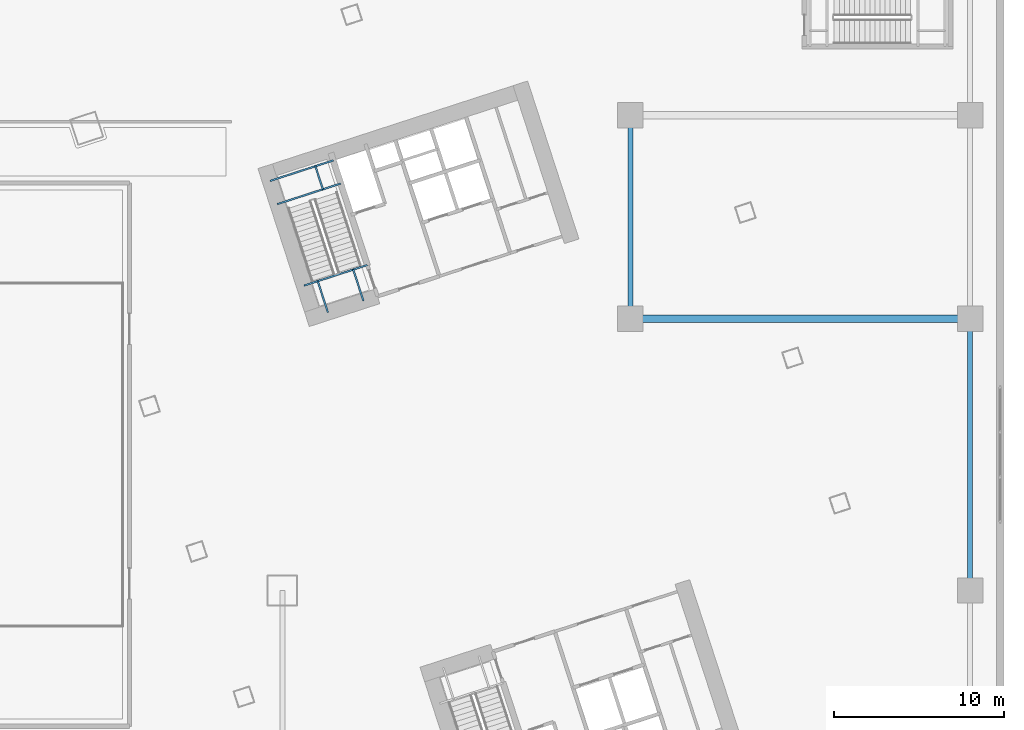
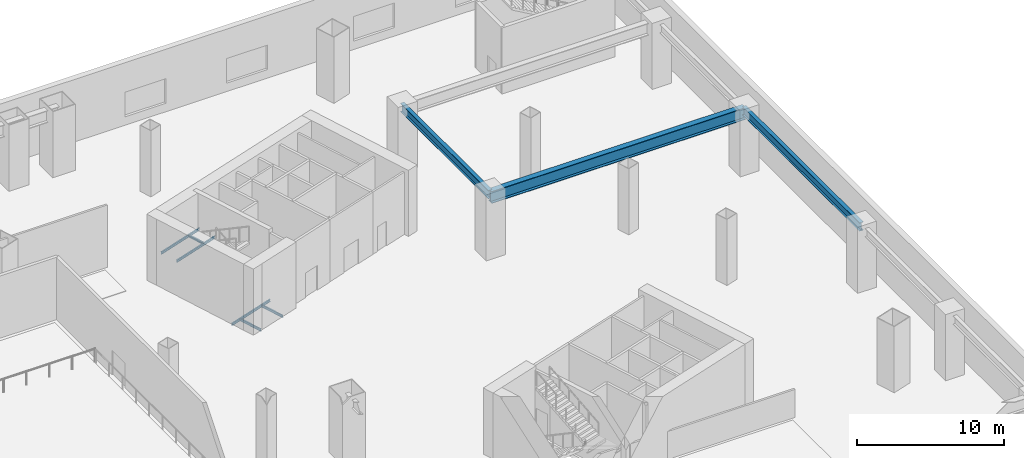
# One storey, part 15 of 35: 9 beams.
"""IFC4 building model written with IfcOpenShell, lengths in metres."""

from ifc_helpers import new_model, si_unit, direction, frame, origin, origin_2d, place, context, subcontext, project, spatial, i_section, extrude, material, material_profile, profile_set, type_object, element, save


model = new_model("IFC4")

# Units and contexts
model_context = context("Model", 3, precision=1e-05, world=origin(), true_north=direction((0.0, 1.0)))
body_context = subcontext(model_context, "Body", "Model", "MODEL_VIEW")
ifc_project = project(units=[si_unit("LENGTHUNIT", "METRE"), si_unit("AREAUNIT", "SQUARE_METRE"), si_unit("VOLUMEUNIT", "CUBIC_METRE"), si_unit("PLANEANGLEUNIT", "RADIAN"), si_unit("MASSUNIT", "GRAM", prefix="KILO")], contexts=[model_context])

# Site, building, storey
site_placement = place(None, origin())
site = spatial("IfcSite", under=ifc_project, at=site_placement, CompositionType="ELEMENT")
building_placement = place(site_placement, origin())
building = spatial("IfcBuilding", under=site, at=building_placement, Name="Qiaolan Cultural Towers", CompositionType="ELEMENT")
storey_placement = place(building_placement, frame((0.0, 0.0, 6.0)))
storey = spatial("IfcBuildingStorey", under=building, at=storey_placement, Name="L01", CompositionType="ELEMENT", Elevation=6.0)

# Beams
ifc_material_1 = material(Name="Steel Q390GJB", Category="steel")
ifc_material_profile_1 = material_profile(ifc_material_1, i_section(OverallWidth=0.449951171875, OverallDepth=1.0, WebThickness=0.02392578125, FlangeThickness=0.0400390625, at=origin_2d()), Name="BH1000x450x24x40")
ifc_profile_set_1 = profile_set([ifc_material_profile_1], Name="Steel Q390GJB")
beam_type_1 = type_object("IfcBeamType", Name="BM-BH1000x450x24x40", PredefinedType="BEAM", material=ifc_profile_set_1)
beam_1_placement = place(storey_placement, frame((98.0, 42.0, 4.699951171875), z_axis=(1.0, 0.0, 0.0), x_axis=(0.0, 1.0, 0.0)))
element("IfcBeam", 1, at=beam_1_placement, inside=storey, type_object=beam_type_1, Name="L01 Podium Primary Girder Y=42.0", PredefinedType="BEAM", context=body_context, shape_type="SweptSolid", body=[
    extrude(i_section(OverallWidth=0.449951171875, OverallDepth=1.0, WebThickness=0.02392578125, FlangeThickness=0.0400390625, at=origin_2d()), origin(), (0.0, 0.0, 1.0), 20.0),
])
ifc_material_2 = material(Name="Steel Q355B", Category="steel")
ifc_material_profile_2 = material_profile(ifc_material_2, i_section(OverallWidth=0.300048828125, OverallDepth=0.699951171875, WebThickness=0.012939453125, FlangeThickness=0.02392578125, at=origin_2d()), Name="HN700x300x13x24")
ifc_profile_set_2 = profile_set([ifc_material_profile_2], Name="Steel Q355B")
beam_type_2 = type_object("IfcBeamType", Name="BM-HN700x300x13x24", PredefinedType="BEAM", material=ifc_profile_set_2)
beam_2_placement = place(storey_placement, frame((98.0, 42.0, 4.85009765625), z_axis=(0.0, 1.0, 0.0), x_axis=(-1.0, 0.0, 0.0)))
element("IfcBeam", 2, at=beam_2_placement, inside=storey, type_object=beam_type_2, Name="L01 Podium Transverse Beam X=98.0", PredefinedType="BEAM", context=body_context, shape_type="SweptSolid", body=[
    extrude(i_section(OverallWidth=0.300048828125, OverallDepth=0.699951171875, WebThickness=0.012939453125, FlangeThickness=0.02392578125, at=origin_2d()), origin(), (0.0, 0.0, 1.0), 12.0),
])
beam_3_placement = place(storey_placement, frame((118.0, 26.0, 4.85009765625), z_axis=(0.0, 1.0, 0.0), x_axis=(-1.0, 0.0, 0.0)))
element("IfcBeam", 3, at=beam_3_placement, inside=storey, type_object=beam_type_2, Name="L01 Podium Transverse Beam X=118.0", PredefinedType="BEAM", context=body_context, shape_type="SweptSolid", body=[
    extrude(i_section(OverallWidth=0.300048828125, OverallDepth=0.699951171875, WebThickness=0.012939453125, FlangeThickness=0.02392578125, at=origin_2d()), origin(), (0.0, 0.0, 1.0), 16.0),
])
ifc_material_3 = material(Name="Steel Q355B", Category="steel")
ifc_material_profile_3 = material_profile(ifc_material_3, i_section(OverallWidth=0.10009765625, OverallDepth=0.199951171875, WebThickness=0.005615234375, FlangeThickness=0.008056640625, at=origin_2d()), Name="HN200x100x5.5x8")
ifc_profile_set_3 = profile_set([ifc_material_profile_3], Name="Steel Q355B")
beam_type_3 = type_object("IfcBeamType", Name="BM-STTRIM-200", PredefinedType="BEAM", material=ifc_profile_set_3)
beam_4_placement = place(storey_placement, frame((78.773193359375, 43.958251953125, -0.4599609375), z_axis=(0.951072048947, 0.3089691857, 0.0), x_axis=(-0.3089691857, 0.951072048947, 0.0)))
element("IfcBeam", 4, at=beam_4_placement, inside=storey, type_object=beam_type_3, Name="L01 ST-E2 Floor Landing Header Beam", PredefinedType="BEAM", context=body_context, shape_type="SweptSolid", body=[
    extrude(i_section(OverallWidth=0.10009765625, OverallDepth=0.199951171875, WebThickness=0.005615234375, FlangeThickness=0.008056640625, at=origin_2d()), origin(), (0.0, 0.0, 1.0), 3.920166015625),
])
for number, where, z_axis, x_axis, name in (
    (5, (80.18115234375, 42.375732421875, -0.4599609375), (-0.308969394428, 0.951071981138, 0.0), (-0.951071981138, -0.308969394428, 0.0), "L01 ST-E2 Floor Landing Stringer 1"),
    (6, (82.2734375, 43.0556640625, -0.4599609375), (-0.308969394428, 0.951071981138, 0.0), (-0.951071981138, -0.308969394428, 0.0), "L01 ST-E2 Floor Landing Stringer 2"),
):
    element("IfcBeam", number, at=place(storey_placement, frame(where, z_axis=z_axis, x_axis=x_axis)), inside=storey, type_object=beam_type_3, Name=name, PredefinedType="BEAM", context=body_context, shape_type="SweptSolid", body=[
        extrude(i_section(OverallWidth=0.10009765625, OverallDepth=0.199951171875, WebThickness=0.005615234375, FlangeThickness=0.008056640625, at=origin_2d()), origin(), (0.0, 0.0, 1.0), 1.93994140625),
    ])
for number, where, z_axis, x_axis, name in (
    (7, (77.213134765625, 48.759765625, 2.449951171875), (0.951053746643, 0.309025518358, 0.0), (-0.309025518358, 0.951053746643, 0.0), "L01 ST-E2 Stair Landing Support Beam 1-1"),
    (8, (76.770751953125, 50.12109375, 2.449951171875), (0.951072048947, 0.3089691857, 0.0), (-0.3089691857, 0.951072048947, 0.0), "L01 ST-E2 Stair Landing Support Beam 1-2"),
):
    element("IfcBeam", number, at=place(storey_placement, frame(where, z_axis=z_axis, x_axis=x_axis)), inside=storey, type_object=beam_type_3, Name=name, PredefinedType="BEAM", context=body_context, shape_type="SweptSolid", body=[
        extrude(i_section(OverallWidth=0.10009765625, OverallDepth=0.199951171875, WebThickness=0.005615234375, FlangeThickness=0.008056640625, at=origin_2d()), origin(), (0.0, 0.0, 1.0), 3.920166015625),
    ])
beam_5_placement = place(storey_placement, frame((79.8857421875, 49.628173828125, 2.449951171875), z_axis=(-0.309105358644, 0.951027800465, 0.0), x_axis=(-0.951027800465, -0.309105358644, 0.0)))
element("IfcBeam", 9, at=beam_5_placement, inside=storey, type_object=beam_type_3, Name="L01 ST-E2 Stair Landing Trimmer 1", PredefinedType="BEAM", context=body_context, shape_type="SweptSolid", body=[
    extrude(i_section(OverallWidth=0.10009765625, OverallDepth=0.199951171875, WebThickness=0.005615234375, FlangeThickness=0.008056640625, at=origin_2d()), origin(), (0.0, 0.0, 1.0), 1.43115234375),
])

save(model, "model.ifc")
